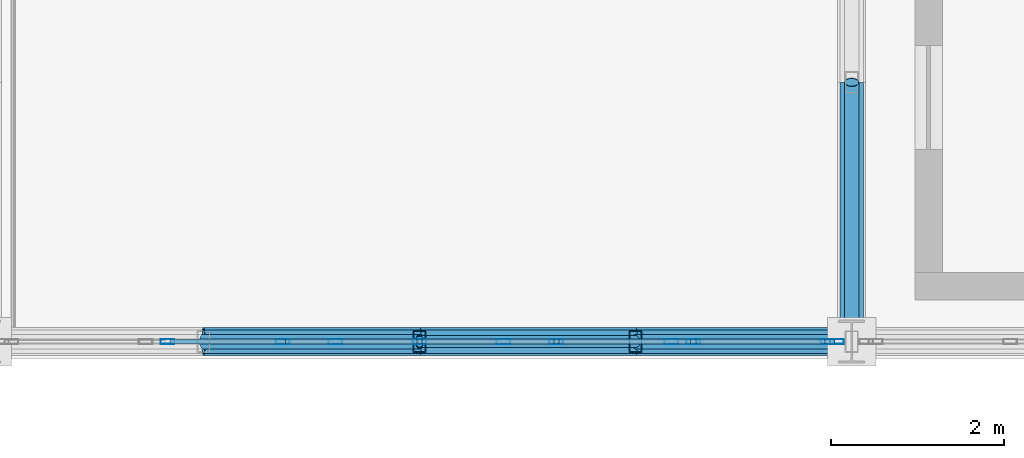
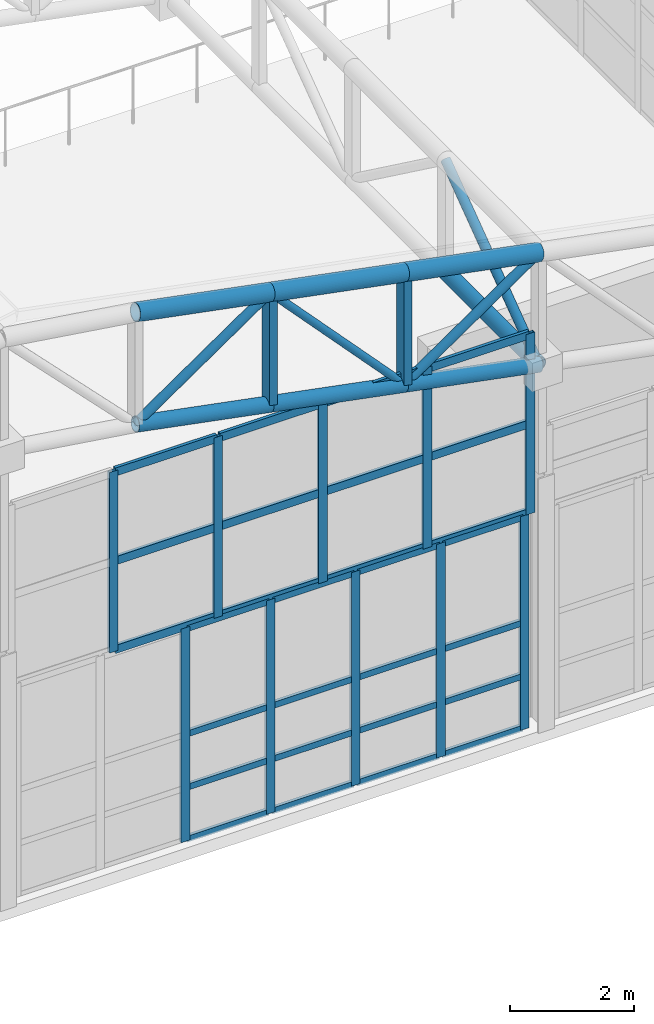
# One storey, part 50 of 112: 51 members, 2 elements without a shape of their own.
"""IFC4 building model written with IfcOpenShell, lengths in metres."""

from ifc_helpers import new_model, si_unit, direction, frame, origin, origin_2d, place, context, subcontext, project, spatial, hollow_rectangle, hollow_circle, extrude, material, material_profile, profile_set, type_object, element, aggregate, save


model = new_model("IFC4")

# Units and contexts
model_context = context("Model", 3, precision=1e-05, world=origin(), true_north=direction((0.0, 1.0)))
body_context = subcontext(model_context, "Body", "Model", "MODEL_VIEW")
ifc_project = project(units=[si_unit("LENGTHUNIT", "METRE"), si_unit("AREAUNIT", "SQUARE_METRE"), si_unit("VOLUMEUNIT", "CUBIC_METRE"), si_unit("PLANEANGLEUNIT", "RADIAN"), si_unit("MASSUNIT", "GRAM", prefix="KILO")], contexts=[model_context])

# Site, building, storey
site_placement = place(None, origin())
site = spatial("IfcSite", under=ifc_project, at=site_placement, CompositionType="ELEMENT")
building_placement = place(site_placement, origin())
building = spatial("IfcBuilding", under=site, at=building_placement, Name="Kaldris Quays Convention Centre", CompositionType="ELEMENT")
storey_placement = place(building_placement, frame((0.0, 0.0, 16.800048828125)))
storey = spatial("IfcBuildingStorey", under=building, at=storey_placement, Name="L03", CompositionType="ELEMENT", Elevation=16.800048828125)

# Curtain wall, members
ifc_material_1 = material(Name="Anodized aluminium AW-6060 and triple glazing", Category="aluminium")
curtain_wall_type_1 = type_object("IfcCurtainWallType", Name="UNITISED CURTAIN WALL CW01", PredefinedType="NOTDEFINED", material=ifc_material_1)
curtain_wall_1_placement = place(storey_placement, origin())
curtain_wall_1 = element("IfcCurtainWall", 1, at=curtain_wall_1_placement, inside=storey, type_object=curtain_wall_type_1, Name="L03 Unitised Curtain Wall CW01 38", PredefinedType="NOTDEFINED")
ifc_material_2 = material(Name="Anodized aluminium AW-6060", Category="aluminium")
ifc_material_profile_1 = material_profile(ifc_material_2, hollow_rectangle(XDim=0.06005859375, YDim=0.159912109375, WallThickness=0.00390625, at=origin_2d()), Name="RHS 160x60x4")
ifc_profile_set_1 = profile_set([ifc_material_profile_1], Name="Anodized aluminium AW-6060")
member_type_1 = type_object("IfcMemberType", Name="CURTAIN MULLION CWM1", PredefinedType="MULLION", material=ifc_profile_set_1)
member_1_placement = place(storey_placement, frame((187.416748046875, 56.0, 0.0), z_axis=(0.0, 0.0, 1.0), x_axis=(0.0, 1.0, 0.0)))
member_1 = element("IfcMember", 2, at=member_1_placement, type_object=member_type_1, Name="CW01 mullion 3", PredefinedType="MULLION", context=body_context, shape_type="SweptSolid", body=[
    extrude(hollow_rectangle(XDim=0.06005859375, YDim=0.159912109375, WallThickness=0.00390625, at=origin_2d()), origin(), (0.0, 0.0, 1.0), 4.199951171875),
])
member_2_placement = place(storey_placement, frame((189.0, 56.0, 0.0), z_axis=(0.0, 0.0, 1.0), x_axis=(0.0, 1.0, 0.0)))
member_2 = element("IfcMember", 3, at=member_2_placement, type_object=member_type_1, Name="CW01 mullion 4", PredefinedType="MULLION", context=body_context, shape_type="SweptSolid", body=[
    extrude(hollow_rectangle(XDim=0.06005859375, YDim=0.159912109375, WallThickness=0.00390625, at=origin_2d()), origin(), (0.0, 0.0, 1.0), 4.199951171875),
])
member_3_placement = place(storey_placement, frame((190.583251953125, 56.0, 0.0), z_axis=(0.0, 0.0, 1.0), x_axis=(0.0, 1.0, 0.0)))
member_3 = element("IfcMember", 4, at=member_3_placement, type_object=member_type_1, Name="CW01 mullion 5", PredefinedType="MULLION", context=body_context, shape_type="SweptSolid", body=[
    extrude(hollow_rectangle(XDim=0.06005859375, YDim=0.159912109375, WallThickness=0.00390625, at=origin_2d()), origin(), (0.0, 0.0, 1.0), 4.199951171875),
])
member_4_placement = place(storey_placement, frame((192.166748046875, 56.0, 0.0), z_axis=(0.0, 0.0, 1.0), x_axis=(0.0, 1.0, 0.0)))
member_4 = element("IfcMember", 5, at=member_4_placement, type_object=member_type_1, Name="CW01 mullion 6", PredefinedType="MULLION", context=body_context, shape_type="SweptSolid", body=[
    extrude(hollow_rectangle(XDim=0.06005859375, YDim=0.159912109375, WallThickness=0.00390625, at=origin_2d()), origin(), (0.0, 0.0, 1.0), 4.199951171875),
])
member_5_placement = place(storey_placement, frame((193.719970703125, 56.0, 0.0), z_axis=(0.0, 0.0, 1.0), x_axis=(0.0, 1.0, 0.0)))
member_5 = element("IfcMember", 6, at=member_5_placement, type_object=member_type_1, Name="CW01 mullion 7", PredefinedType="MULLION", context=body_context, shape_type="SweptSolid", body=[
    extrude(hollow_rectangle(XDim=0.06005859375, YDim=0.159912109375, WallThickness=0.00390625, at=origin_2d()), origin(), (0.0, 0.0, 1.0), 4.199951171875),
])

curtain_wall_type_2 = type_object("IfcCurtainWallType", Name="UNITISED CURTAIN WALL CW05", PredefinedType="NOTDEFINED", material=ifc_material_1)
curtain_wall_2_placement = place(storey_placement, origin())
curtain_wall_2 = element("IfcCurtainWall", 7, at=curtain_wall_2_placement, inside=storey, type_object=curtain_wall_type_2, Name="L03 Unitised Curtain Wall CW05 257", PredefinedType="NOTDEFINED")
member_6_placement = place(storey_placement, frame((186.083984375, 56.0, 4.195068359375), z_axis=(0.0, 0.0, 1.0), x_axis=(0.0, 1.0, 0.0)))
member_6 = element("IfcMember", 8, at=member_6_placement, type_object=member_type_1, Name="CW05 mullion 2", PredefinedType="MULLION", context=body_context, shape_type="SweptSolid", body=[
    extrude(hollow_rectangle(XDim=0.06005859375, YDim=0.159912109375, WallThickness=0.00390625, at=origin_2d()), origin(), (0.0, 0.0, 1.0), 3.5478515625),
])
member_7_placement = place(storey_placement, frame((188.028076171875, 56.0, 4.195068359375), z_axis=(0.0, 0.0, 1.0), x_axis=(0.0, 1.0, 0.0)))
member_7 = element("IfcMember", 9, at=member_7_placement, type_object=member_type_1, Name="CW05 mullion 3", PredefinedType="MULLION", context=body_context, shape_type="SweptSolid", body=[
    extrude(hollow_rectangle(XDim=0.06005859375, YDim=0.159912109375, WallThickness=0.00390625, at=origin_2d()), origin(), (0.0, 0.0, 1.0), 3.5478515625),
])
member_8_placement = place(storey_placement, frame((189.971923828125, 56.0, 4.195068359375), z_axis=(0.0, 0.0, 1.0), x_axis=(0.0, 1.0, 0.0)))
member_8 = element("IfcMember", 10, at=member_8_placement, type_object=member_type_1, Name="CW05 mullion 4", PredefinedType="MULLION", context=body_context, shape_type="SweptSolid", body=[
    extrude(hollow_rectangle(XDim=0.06005859375, YDim=0.159912109375, WallThickness=0.00390625, at=origin_2d()), origin(), (0.0, 0.0, 1.0), 3.5478515625),
])
member_9_placement = place(storey_placement, frame((191.916015625, 56.0, 4.195068359375), z_axis=(0.0, 0.0, 1.0), x_axis=(0.0, 1.0, 0.0)))
member_9 = element("IfcMember", 11, at=member_9_placement, type_object=member_type_1, Name="CW05 mullion 5", PredefinedType="MULLION", context=body_context, shape_type="SweptSolid", body=[
    extrude(hollow_rectangle(XDim=0.06005859375, YDim=0.159912109375, WallThickness=0.00390625, at=origin_2d()), origin(), (0.0, 0.0, 1.0), 3.5478515625),
])
member_10_placement = place(storey_placement, frame((193.830078125, 56.0, 4.195068359375), z_axis=(0.0, 0.0, 1.0), x_axis=(0.0, 1.0, 0.0)))
member_10 = element("IfcMember", 12, at=member_10_placement, type_object=member_type_1, Name="CW05 mullion 6", PredefinedType="MULLION", context=body_context, shape_type="SweptSolid", body=[
    extrude(hollow_rectangle(XDim=0.06005859375, YDim=0.159912109375, WallThickness=0.00390625, at=origin_2d()), origin(), (0.0, 0.0, 1.0), 3.5478515625),
])

# Member
ifc_material_profile_2 = material_profile(ifc_material_2, hollow_rectangle(XDim=0.06005859375, YDim=0.1201171875, WallThickness=0.00390625, at=origin_2d()), Name="RHS 120x60x4")
ifc_profile_set_2 = profile_set([ifc_material_profile_2], Name="Anodized aluminium AW-6060")
member_type_2 = type_object("IfcMemberType", Name="CURTAIN TRANSOM CWT1", PredefinedType="USERDEFINED", material=ifc_profile_set_2)
member_11_placement = place(storey_placement, frame((187.44677734375, 56.0, 0.030029296875), z_axis=(1.0, 0.0, 0.0), x_axis=(0.0, 1.0, 0.0)))
member_11 = element("IfcMember", 13, at=member_11_placement, type_object=member_type_2, Name="CW01 transom 3.1", ObjectType="TRANSOM", PredefinedType="USERDEFINED", context=body_context, shape_type="SweptSolid", body=[
    extrude(hollow_rectangle(XDim=0.06005859375, YDim=0.1201171875, WallThickness=0.00390625, at=origin_2d()), origin(), (0.0, 0.0, 1.0), 1.523193359375),
])

member_12_placement = place(storey_placement, frame((187.44677734375, 56.0, 1.050048828125), z_axis=(1.0, 0.0, 0.0), x_axis=(0.0, 1.0, 0.0)))
member_12 = element("IfcMember", 14, at=member_12_placement, type_object=member_type_2, Name="CW01 transom 3.2", ObjectType="TRANSOM", PredefinedType="USERDEFINED", context=body_context, shape_type="SweptSolid", body=[
    extrude(hollow_rectangle(XDim=0.06005859375, YDim=0.1201171875, WallThickness=0.00390625, at=origin_2d()), origin(), (0.0, 0.0, 1.0), 1.523193359375),
])

member_13_placement = place(storey_placement, frame((187.44677734375, 56.0, 2.099853515625), z_axis=(1.0, 0.0, 0.0), x_axis=(0.0, 1.0, 0.0)))
member_13 = element("IfcMember", 15, at=member_13_placement, type_object=member_type_2, Name="CW01 transom 3.3", ObjectType="TRANSOM", PredefinedType="USERDEFINED", context=body_context, shape_type="SweptSolid", body=[
    extrude(hollow_rectangle(XDim=0.06005859375, YDim=0.1201171875, WallThickness=0.00390625, at=origin_2d()), origin(), (0.0, 0.0, 1.0), 1.523193359375),
])

member_14_placement = place(storey_placement, frame((187.44677734375, 56.0, 4.169921875), z_axis=(1.0, 0.0, 0.0), x_axis=(0.0, 1.0, 0.0)))
member_14 = element("IfcMember", 16, at=member_14_placement, type_object=member_type_2, Name="CW01 transom 3.4", ObjectType="TRANSOM", PredefinedType="USERDEFINED", context=body_context, shape_type="SweptSolid", body=[
    extrude(hollow_rectangle(XDim=0.06005859375, YDim=0.1201171875, WallThickness=0.00390625, at=origin_2d()), origin(), (0.0, 0.0, 1.0), 1.523193359375),
])

member_15_placement = place(storey_placement, frame((189.030029296875, 56.0, 0.030029296875), z_axis=(1.0, 0.0, 0.0), x_axis=(0.0, 1.0, 0.0)))
member_15 = element("IfcMember", 17, at=member_15_placement, type_object=member_type_2, Name="CW01 transom 4.1", ObjectType="TRANSOM", PredefinedType="USERDEFINED", context=body_context, shape_type="SweptSolid", body=[
    extrude(hollow_rectangle(XDim=0.06005859375, YDim=0.1201171875, WallThickness=0.00390625, at=origin_2d()), origin(), (0.0, 0.0, 1.0), 1.523193359375),
])

member_16_placement = place(storey_placement, frame((189.030029296875, 56.0, 1.050048828125), z_axis=(1.0, 0.0, 0.0), x_axis=(0.0, 1.0, 0.0)))
member_16 = element("IfcMember", 18, at=member_16_placement, type_object=member_type_2, Name="CW01 transom 4.2", ObjectType="TRANSOM", PredefinedType="USERDEFINED", context=body_context, shape_type="SweptSolid", body=[
    extrude(hollow_rectangle(XDim=0.06005859375, YDim=0.1201171875, WallThickness=0.00390625, at=origin_2d()), origin(), (0.0, 0.0, 1.0), 1.523193359375),
])

member_17_placement = place(storey_placement, frame((189.030029296875, 56.0, 2.099853515625), z_axis=(1.0, 0.0, 0.0), x_axis=(0.0, 1.0, 0.0)))
member_17 = element("IfcMember", 19, at=member_17_placement, type_object=member_type_2, Name="CW01 transom 4.3", ObjectType="TRANSOM", PredefinedType="USERDEFINED", context=body_context, shape_type="SweptSolid", body=[
    extrude(hollow_rectangle(XDim=0.06005859375, YDim=0.1201171875, WallThickness=0.00390625, at=origin_2d()), origin(), (0.0, 0.0, 1.0), 1.523193359375),
])

member_18_placement = place(storey_placement, frame((189.030029296875, 56.0, 4.169921875), z_axis=(1.0, 0.0, 0.0), x_axis=(0.0, 1.0, 0.0)))
member_18 = element("IfcMember", 20, at=member_18_placement, type_object=member_type_2, Name="CW01 transom 4.4", ObjectType="TRANSOM", PredefinedType="USERDEFINED", context=body_context, shape_type="SweptSolid", body=[
    extrude(hollow_rectangle(XDim=0.06005859375, YDim=0.1201171875, WallThickness=0.00390625, at=origin_2d()), origin(), (0.0, 0.0, 1.0), 1.523193359375),
])

member_19_placement = place(storey_placement, frame((190.61328125, 56.0, 0.030029296875), z_axis=(1.0, 0.0, 0.0), x_axis=(0.0, 1.0, 0.0)))
member_19 = element("IfcMember", 21, at=member_19_placement, type_object=member_type_2, Name="CW01 transom 5.1", ObjectType="TRANSOM", PredefinedType="USERDEFINED", context=body_context, shape_type="SweptSolid", body=[
    extrude(hollow_rectangle(XDim=0.06005859375, YDim=0.1201171875, WallThickness=0.00390625, at=origin_2d()), origin(), (0.0, 0.0, 1.0), 1.5234375),
])

member_20_placement = place(storey_placement, frame((190.61328125, 56.0, 1.050048828125), z_axis=(1.0, 0.0, 0.0), x_axis=(0.0, 1.0, 0.0)))
member_20 = element("IfcMember", 22, at=member_20_placement, type_object=member_type_2, Name="CW01 transom 5.2", ObjectType="TRANSOM", PredefinedType="USERDEFINED", context=body_context, shape_type="SweptSolid", body=[
    extrude(hollow_rectangle(XDim=0.06005859375, YDim=0.1201171875, WallThickness=0.00390625, at=origin_2d()), origin(), (0.0, 0.0, 1.0), 1.5234375),
])

member_21_placement = place(storey_placement, frame((190.61328125, 56.0, 2.099853515625), z_axis=(1.0, 0.0, 0.0), x_axis=(0.0, 1.0, 0.0)))
member_21 = element("IfcMember", 23, at=member_21_placement, type_object=member_type_2, Name="CW01 transom 5.3", ObjectType="TRANSOM", PredefinedType="USERDEFINED", context=body_context, shape_type="SweptSolid", body=[
    extrude(hollow_rectangle(XDim=0.06005859375, YDim=0.1201171875, WallThickness=0.00390625, at=origin_2d()), origin(), (0.0, 0.0, 1.0), 1.5234375),
])

member_22_placement = place(storey_placement, frame((190.61328125, 56.0, 4.169921875), z_axis=(1.0, 0.0, 0.0), x_axis=(0.0, 1.0, 0.0)))
member_22 = element("IfcMember", 24, at=member_22_placement, type_object=member_type_2, Name="CW01 transom 5.4", ObjectType="TRANSOM", PredefinedType="USERDEFINED", context=body_context, shape_type="SweptSolid", body=[
    extrude(hollow_rectangle(XDim=0.06005859375, YDim=0.1201171875, WallThickness=0.00390625, at=origin_2d()), origin(), (0.0, 0.0, 1.0), 1.5234375),
])

member_23_placement = place(storey_placement, frame((192.19677734375, 56.0, 0.030029296875), z_axis=(1.0, 0.0, 0.0), x_axis=(0.0, 1.0, 0.0)))
member_23 = element("IfcMember", 25, at=member_23_placement, type_object=member_type_2, Name="CW01 transom 6.1", ObjectType="TRANSOM", PredefinedType="USERDEFINED", context=body_context, shape_type="SweptSolid", body=[
    extrude(hollow_rectangle(XDim=0.06005859375, YDim=0.1201171875, WallThickness=0.00390625, at=origin_2d()), origin(), (0.0, 0.0, 1.0), 1.4931640625),
])

member_24_placement = place(storey_placement, frame((192.19677734375, 56.0, 1.050048828125), z_axis=(1.0, 0.0, 0.0), x_axis=(0.0, 1.0, 0.0)))
member_24 = element("IfcMember", 26, at=member_24_placement, type_object=member_type_2, Name="CW01 transom 6.2", ObjectType="TRANSOM", PredefinedType="USERDEFINED", context=body_context, shape_type="SweptSolid", body=[
    extrude(hollow_rectangle(XDim=0.06005859375, YDim=0.1201171875, WallThickness=0.00390625, at=origin_2d()), origin(), (0.0, 0.0, 1.0), 1.4931640625),
])

member_25_placement = place(storey_placement, frame((192.19677734375, 56.0, 2.099853515625), z_axis=(1.0, 0.0, 0.0), x_axis=(0.0, 1.0, 0.0)))
member_25 = element("IfcMember", 27, at=member_25_placement, type_object=member_type_2, Name="CW01 transom 6.3", ObjectType="TRANSOM", PredefinedType="USERDEFINED", context=body_context, shape_type="SweptSolid", body=[
    extrude(hollow_rectangle(XDim=0.06005859375, YDim=0.1201171875, WallThickness=0.00390625, at=origin_2d()), origin(), (0.0, 0.0, 1.0), 1.4931640625),
])

member_26_placement = place(storey_placement, frame((192.19677734375, 56.0, 4.169921875), z_axis=(1.0, 0.0, 0.0), x_axis=(0.0, 1.0, 0.0)))
member_26 = element("IfcMember", 28, at=member_26_placement, type_object=member_type_2, Name="CW01 transom 6.4", ObjectType="TRANSOM", PredefinedType="USERDEFINED", context=body_context, shape_type="SweptSolid", body=[
    extrude(hollow_rectangle(XDim=0.06005859375, YDim=0.1201171875, WallThickness=0.00390625, at=origin_2d()), origin(), (0.0, 0.0, 1.0), 1.4931640625),
])

aggregate(curtain_wall_1, [member_1, member_2, member_3, member_4, member_5, member_11, member_12, member_13, member_14, member_15, member_16, member_17, member_18, member_19, member_20, member_21, member_22, member_23, member_24, member_25, member_26])

ifc_material_profile_3 = material_profile(ifc_material_2, hollow_rectangle(XDim=0.06005859375, YDim=0.159912109375, WallThickness=0.00390625, at=origin_2d()), Name="RHS 160x60x4")
ifc_profile_set_3 = profile_set([ifc_material_profile_3], Name="Anodized aluminium AW-6060")
member_type_3 = type_object("IfcMemberType", Name="CURTAIN TRANSOM CWT2", PredefinedType="USERDEFINED", material=ifc_profile_set_3)
member_27_placement = place(storey_placement, frame((186.114013671875, 56.0, 4.224853515625), z_axis=(1.0, 0.0, 0.0), x_axis=(0.0, 1.0, 0.0)))
member_27 = element("IfcMember", 29, at=member_27_placement, type_object=member_type_3, Name="CW05 transom 2.1", ObjectType="TRANSOM", PredefinedType="USERDEFINED", context=body_context, shape_type="SweptSolid", body=[
    extrude(hollow_rectangle(XDim=0.06005859375, YDim=0.159912109375, WallThickness=0.00390625, at=origin_2d()), origin(), (0.0, 0.0, 1.0), 1.884033203125),
])

member_28_placement = place(storey_placement, frame((186.114013671875, 56.0, 5.968994140625), z_axis=(1.0, 0.0, 0.0), x_axis=(0.0, 1.0, 0.0)))
member_28 = element("IfcMember", 30, at=member_28_placement, type_object=member_type_3, Name="CW05 transom 2.2", ObjectType="TRANSOM", PredefinedType="USERDEFINED", context=body_context, shape_type="SweptSolid", body=[
    extrude(hollow_rectangle(XDim=0.06005859375, YDim=0.159912109375, WallThickness=0.00390625, at=origin_2d()), origin(), (0.0, 0.0, 1.0), 1.884033203125),
])

member_29_placement = place(storey_placement, frame((186.114013671875, 56.0, 7.712890625), z_axis=(1.0, 0.0, 0.0), x_axis=(0.0, 1.0, 0.0)))
member_29 = element("IfcMember", 31, at=member_29_placement, type_object=member_type_3, Name="CW05 transom 2.3", ObjectType="TRANSOM", PredefinedType="USERDEFINED", context=body_context, shape_type="SweptSolid", body=[
    extrude(hollow_rectangle(XDim=0.06005859375, YDim=0.159912109375, WallThickness=0.00390625, at=origin_2d()), origin(), (0.0, 0.0, 1.0), 1.884033203125),
])

member_30_placement = place(storey_placement, frame((188.05810546875, 56.0, 4.224853515625), z_axis=(1.0, 0.0, 0.0), x_axis=(0.0, 1.0, 0.0)))
member_30 = element("IfcMember", 32, at=member_30_placement, type_object=member_type_3, Name="CW05 transom 3.1", ObjectType="TRANSOM", PredefinedType="USERDEFINED", context=body_context, shape_type="SweptSolid", body=[
    extrude(hollow_rectangle(XDim=0.06005859375, YDim=0.159912109375, WallThickness=0.00390625, at=origin_2d()), origin(), (0.0, 0.0, 1.0), 1.8837890625),
])

member_31_placement = place(storey_placement, frame((188.05810546875, 56.0, 5.968994140625), z_axis=(1.0, 0.0, 0.0), x_axis=(0.0, 1.0, 0.0)))
member_31 = element("IfcMember", 33, at=member_31_placement, type_object=member_type_3, Name="CW05 transom 3.2", ObjectType="TRANSOM", PredefinedType="USERDEFINED", context=body_context, shape_type="SweptSolid", body=[
    extrude(hollow_rectangle(XDim=0.06005859375, YDim=0.159912109375, WallThickness=0.00390625, at=origin_2d()), origin(), (0.0, 0.0, 1.0), 1.8837890625),
])

member_32_placement = place(storey_placement, frame((188.05810546875, 56.0, 7.712890625), z_axis=(1.0, 0.0, 0.0), x_axis=(0.0, 1.0, 0.0)))
member_32 = element("IfcMember", 34, at=member_32_placement, type_object=member_type_3, Name="CW05 transom 3.3", ObjectType="TRANSOM", PredefinedType="USERDEFINED", context=body_context, shape_type="SweptSolid", body=[
    extrude(hollow_rectangle(XDim=0.06005859375, YDim=0.159912109375, WallThickness=0.00390625, at=origin_2d()), origin(), (0.0, 0.0, 1.0), 1.8837890625),
])

member_33_placement = place(storey_placement, frame((190.001953125, 56.0, 4.224853515625), z_axis=(1.0, 0.0, 0.0), x_axis=(0.0, 1.0, 0.0)))
member_33 = element("IfcMember", 35, at=member_33_placement, type_object=member_type_3, Name="CW05 transom 4.1", ObjectType="TRANSOM", PredefinedType="USERDEFINED", context=body_context, shape_type="SweptSolid", body=[
    extrude(hollow_rectangle(XDim=0.06005859375, YDim=0.159912109375, WallThickness=0.00390625, at=origin_2d()), origin(), (0.0, 0.0, 1.0), 1.884033203125),
])

member_34_placement = place(storey_placement, frame((190.001953125, 56.0, 5.968994140625), z_axis=(1.0, 0.0, 0.0), x_axis=(0.0, 1.0, 0.0)))
member_34 = element("IfcMember", 36, at=member_34_placement, type_object=member_type_3, Name="CW05 transom 4.2", ObjectType="TRANSOM", PredefinedType="USERDEFINED", context=body_context, shape_type="SweptSolid", body=[
    extrude(hollow_rectangle(XDim=0.06005859375, YDim=0.159912109375, WallThickness=0.00390625, at=origin_2d()), origin(), (0.0, 0.0, 1.0), 1.884033203125),
])

member_35_placement = place(storey_placement, frame((190.001953125, 56.0, 7.712890625), z_axis=(1.0, 0.0, 0.0), x_axis=(0.0, 1.0, 0.0)))
member_35 = element("IfcMember", 37, at=member_35_placement, type_object=member_type_3, Name="CW05 transom 4.3", ObjectType="TRANSOM", PredefinedType="USERDEFINED", context=body_context, shape_type="SweptSolid", body=[
    extrude(hollow_rectangle(XDim=0.06005859375, YDim=0.159912109375, WallThickness=0.00390625, at=origin_2d()), origin(), (0.0, 0.0, 1.0), 1.884033203125),
])

member_36_placement = place(storey_placement, frame((191.946044921875, 56.0, 4.224853515625), z_axis=(1.0, 0.0, 0.0), x_axis=(0.0, 1.0, 0.0)))
member_36 = element("IfcMember", 38, at=member_36_placement, type_object=member_type_3, Name="CW05 transom 5.1", ObjectType="TRANSOM", PredefinedType="USERDEFINED", context=body_context, shape_type="SweptSolid", body=[
    extrude(hollow_rectangle(XDim=0.06005859375, YDim=0.159912109375, WallThickness=0.00390625, at=origin_2d()), origin(), (0.0, 0.0, 1.0), 1.85400390625),
])

member_37_placement = place(storey_placement, frame((191.946044921875, 56.0, 5.968994140625), z_axis=(1.0, 0.0, 0.0), x_axis=(0.0, 1.0, 0.0)))
member_37 = element("IfcMember", 39, at=member_37_placement, type_object=member_type_3, Name="CW05 transom 5.2", ObjectType="TRANSOM", PredefinedType="USERDEFINED", context=body_context, shape_type="SweptSolid", body=[
    extrude(hollow_rectangle(XDim=0.06005859375, YDim=0.159912109375, WallThickness=0.00390625, at=origin_2d()), origin(), (0.0, 0.0, 1.0), 1.85400390625),
])

member_38_placement = place(storey_placement, frame((191.946044921875, 56.0, 7.712890625), z_axis=(1.0, 0.0, 0.0), x_axis=(0.0, 1.0, 0.0)))
member_38 = element("IfcMember", 40, at=member_38_placement, type_object=member_type_3, Name="CW05 transom 5.3", ObjectType="TRANSOM", PredefinedType="USERDEFINED", context=body_context, shape_type="SweptSolid", body=[
    extrude(hollow_rectangle(XDim=0.06005859375, YDim=0.159912109375, WallThickness=0.00390625, at=origin_2d()), origin(), (0.0, 0.0, 1.0), 1.85400390625),
])

aggregate(curtain_wall_2, [member_6, member_7, member_8, member_9, member_10, member_27, member_28, member_29, member_30, member_31, member_32, member_33, member_34, member_35, member_36, member_37, member_38])

# Members
ifc_material_3 = material(Name="Steel S355J2H", Category="steel")
ifc_material_profile_4 = material_profile(ifc_material_3, hollow_circle(Radius=0.161865234375, WallThickness=0.01611328125, at=origin_2d()), Name="CHS 323.9x16")
ifc_profile_set_4 = profile_set([ifc_material_profile_4], Name="Steel S355J2H")
member_type_4 = type_object("IfcMemberType", Name="STRUCTURAL MEMBER SC03", PredefinedType="CHORD", material=ifc_profile_set_4)
for number, where, z_axis, x_axis, name in (
    (41, (186.5, 56.0, 10.7060546875), (0.981903710383, 0.0, -0.189380842579), (0.0, 1.0, 0.0), "SF-V2 Top Chord X 9"),
    (42, (189.0, 56.0, 10.223876953125), (0.981903710383, 0.0, -0.189380842579), (0.0, 1.0, 0.0), "SF-V2 Top Chord X 10"),
    (43, (191.5, 56.0, 9.74169921875), (0.981885875429, 0.0, -0.189473290024), (0.0, 1.0, 0.0), "SF-V2 Top Chord X 11"),
):
    element("IfcMember", number, at=place(storey_placement, frame(where, z_axis=z_axis, x_axis=x_axis)), inside=storey, type_object=member_type_4, Name=name, PredefinedType="CHORD", context=body_context, shape_type="SweptSolid", body=[
        extrude(hollow_circle(Radius=0.161865234375, WallThickness=0.01611328125, at=origin_2d()), origin(), (0.0, 0.0, 1.0), 2.546142578125),
    ])
ifc_material_profile_5 = material_profile(ifc_material_3, hollow_circle(Radius=0.136474609375, WallThickness=0.012451171875, at=origin_2d()), Name="CHS 273x12.5")
ifc_profile_set_5 = profile_set([ifc_material_profile_5], Name="Steel S355J2H")
member_type_5 = type_object("IfcMemberType", Name="STRUCTURAL MEMBER SC04", PredefinedType="CHORD", material=ifc_profile_set_5)
for number, where, z_axis, x_axis, name in (
    (44, (186.5, 56.0, 8.506103515625), (0.981903710383, 0.0, -0.189380842579), (0.0, 1.0, 0.0), "SF-V2 Bottom Chord X 9"),
    (45, (189.0, 56.0, 8.02392578125), (0.981903710383, 0.0, -0.189380842579), (0.0, 1.0, 0.0), "SF-V2 Bottom Chord X 10"),
    (46, (191.5, 56.0, 7.541748046875), (0.981885875429, 0.0, -0.189473290024), (0.0, 1.0, 0.0), "SF-V2 Bottom Chord X 11"),
):
    element("IfcMember", number, at=place(storey_placement, frame(where, z_axis=z_axis, x_axis=x_axis)), inside=storey, type_object=member_type_5, Name=name, PredefinedType="CHORD", context=body_context, shape_type="SweptSolid", body=[
        extrude(hollow_circle(Radius=0.136474609375, WallThickness=0.012451171875, at=origin_2d()), origin(), (0.0, 0.0, 1.0), 2.546142578125),
    ])
member_39_placement = place(storey_placement, frame((194.0, 56.0, 7.059326171875), z_axis=(0.0, 1.0, 0.0), x_axis=(-1.0, 0.0, 0.0)))
element("IfcMember", 47, at=member_39_placement, inside=storey, type_object=member_type_5, Name="SF-V2 Bottom Chord Y 124", PredefinedType="CHORD", context=body_context, shape_type="SweptSolid", body=[
    extrude(hollow_circle(Radius=0.136474609375, WallThickness=0.012451171875, at=origin_2d()), origin(), (0.0, 0.0, 1.0), 3.0),
])
ifc_material_profile_6 = material_profile(ifc_material_3, hollow_circle(Radius=0.084228515625, WallThickness=0.008056640625, at=origin_2d()), Name="CHS 168.3x8")
ifc_profile_set_6 = profile_set([ifc_material_profile_6], Name="Steel S355J2H")
member_type_6 = type_object("IfcMemberType", Name="STRUCTURAL MEMBER SWB2", PredefinedType="BRACE", material=ifc_profile_set_6)
for number, where, z_axis, x_axis, name in (
    (48, (186.5, 56.0, 8.506103515625), (0.8241921955, 0.0, 0.56631018433), (0.0, 1.0, 0.0), "SF-V2 Web Diagonal X 9"),
    (49, (191.5, 56.0, 7.541748046875), (0.824229762823, 0.0, 0.566255506002), (0.0, 1.0, 0.0), "SF-V2 Web Diagonal X 11"),
):
    element("IfcMember", number, at=place(storey_placement, frame(where, z_axis=z_axis, x_axis=x_axis)), inside=storey, type_object=member_type_6, Name=name, PredefinedType="BRACE", context=body_context, shape_type="SweptSolid", body=[
        extrude(hollow_circle(Radius=0.084228515625, WallThickness=0.008056640625, at=origin_2d()), origin(), (0.0, 0.0, 1.0), 3.033203125),
    ])
member_40_placement = place(storey_placement, frame((194.0, 56.0, 7.059326171875), z_axis=(0.0, 0.80641125493, 0.591355128432), x_axis=(-1.0, 0.0, 0.0)))
element("IfcMember", 50, at=member_40_placement, inside=storey, type_object=member_type_6, Name="SF-V2 Web Diagonal Y 124", PredefinedType="BRACE", context=body_context, shape_type="SweptSolid", body=[
    extrude(hollow_circle(Radius=0.084228515625, WallThickness=0.008056640625, at=origin_2d()), origin(), (0.0, 0.0, 1.0), 3.72021484375),
])
ifc_material_profile_7 = material_profile(ifc_material_3, hollow_circle(Radius=0.06982421875, WallThickness=0.00634765625, at=origin_2d()), Name="CHS 139.7x6.3")
ifc_profile_set_7 = profile_set([ifc_material_profile_7], Name="Steel S355J2H")
member_type_7 = type_object("IfcMemberType", Name="STRUCTURAL MEMBER SWB4", PredefinedType="BRACE", material=ifc_profile_set_7)
member_41_placement = place(storey_placement, frame((191.5, 56.0, 7.541748046875), z_axis=(-0.68183413121, 0.0, 0.731506813035), x_axis=(0.0, -1.0, 0.0)))
element("IfcMember", 51, at=member_41_placement, inside=storey, type_object=member_type_7, Name="SF-V2 Web Diagonal X 10", PredefinedType="BRACE", context=body_context, shape_type="SweptSolid", body=[
    extrude(hollow_circle(Radius=0.06982421875, WallThickness=0.00634765625, at=origin_2d()), origin(), (0.0, 0.0, 1.0), 3.66650390625),
])
ifc_material_profile_8 = material_profile(ifc_material_3, hollow_rectangle(XDim=0.14990234375, YDim=0.25, WallThickness=0.010009765625, at=origin_2d()), Name="RHS 250x150x10")
ifc_profile_set_8 = profile_set([ifc_material_profile_8], Name="Steel S355J2H")
member_type_8 = type_object("IfcMemberType", Name="STRUCTURAL MEMBER TTV1", PredefinedType="POST", material=ifc_profile_set_8)
for number, where, z_axis, x_axis, name in (
    (52, (189.0, 56.0, 8.02392578125), (0.0, 0.0, 1.0), (1.0, 0.0, 0.0), "SF-V2 Space-Frame Post 82"),
    (53, (191.5, 56.0, 7.541748046875), (0.0, 0.0, 1.0), (1.0, 0.0, 0.0), "SF-V2 Space-Frame Post 87"),
):
    element("IfcMember", number, at=place(storey_placement, frame(where, z_axis=z_axis, x_axis=x_axis)), inside=storey, type_object=member_type_8, Name=name, PredefinedType="POST", context=body_context, shape_type="SweptSolid", body=[
        extrude(hollow_rectangle(XDim=0.14990234375, YDim=0.25, WallThickness=0.010009765625, at=origin_2d()), origin(), (0.0, 0.0, 1.0), 2.199951171875),
    ])

save(model, "model.ifc")
